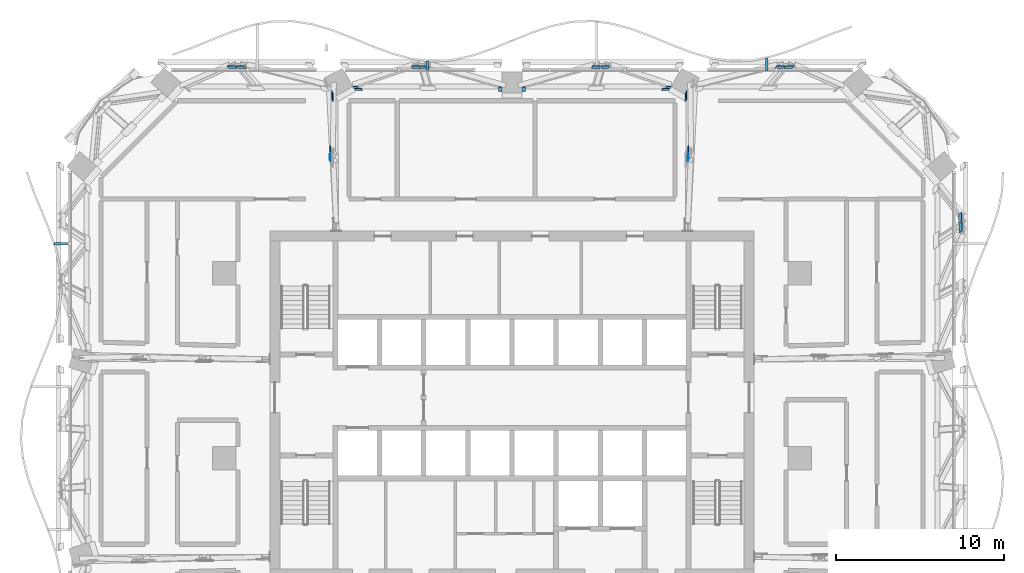
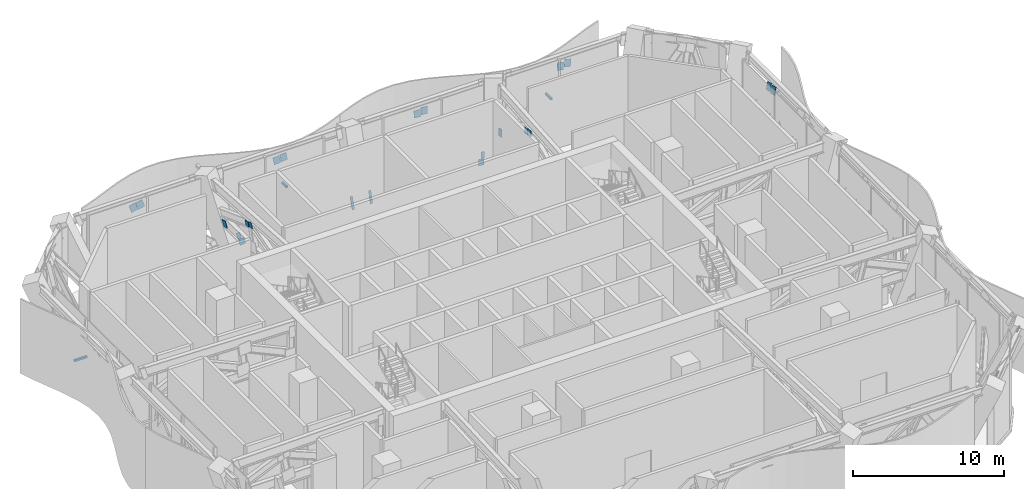
# One storey, part 19 of 26: 25 discrete accessories.
"""IFC4 building model written with IfcOpenShell, lengths in metres."""

from ifc_helpers import new_model, si_unit, direction, frame, origin, origin_2d, place, context, subcontext, project, spatial, rectangle, extrude, material, layer, layer_set, type_object, element, save


model = new_model("IFC4")

# Units and contexts
model_context = context("Model", 3, precision=1e-05, world=origin(), true_north=direction((0.0, 1.0)))
body_context = subcontext(model_context, "Body", "Model", "MODEL_VIEW")
ifc_project = project(units=[si_unit("LENGTHUNIT", "METRE"), si_unit("AREAUNIT", "SQUARE_METRE"), si_unit("VOLUMEUNIT", "CUBIC_METRE"), si_unit("PLANEANGLEUNIT", "RADIAN"), si_unit("MASSUNIT", "GRAM", prefix="KILO")], contexts=[model_context])

# Site, building, storey
site_placement = place(None, origin())
site = spatial("IfcSite", under=ifc_project, at=site_placement, CompositionType="ELEMENT")
building_placement = place(site_placement, origin())
building = spatial("IfcBuilding", under=site, at=building_placement, Name="Mopane Tessera Tower", CompositionType="ELEMENT")
storey_placement = place(building_placement, frame((0.0, 0.0, 205.0)))
storey = spatial("IfcBuildingStorey", under=building, at=storey_placement, Name="L43", CompositionType="ELEMENT", Elevation=205.0)

# Discrete accessories
ifc_material_1 = material(Name="Stainless steel S316", Category="steel")
discrete_accessory_type_1 = type_object("IfcDiscreteAccessoryType", Name="Louvre bracket 150 x 150", PredefinedType="BRACKET", material=ifc_material_1)
discrete_accessory_1_placement = place(storey_placement, frame((15.14990234375, 23.4326171875, 2.51513671875), z_axis=(0.0, 0.0, 1.0), x_axis=(0.0, 1.0, 0.0)))
element("IfcDiscreteAccessory", 1, at=discrete_accessory_1_placement, inside=storey, type_object=discrete_accessory_type_1, Name="e:lv:L43:N:0:br0", PredefinedType="BRACKET", context=body_context, shape_type="SweptSolid", body=[
    extrude(rectangle(XDim=0.7451171875, YDim=0.14990234375, at=origin_2d()), origin(), (0.0, 0.0, 1.0), 0.14990234375),
])
discrete_accessory_2_placement = place(storey_placement, frame((-5.050048828125, 23.339111328125, 2.51513671875), z_axis=(0.0, 0.0, 1.0), x_axis=(0.0, 1.0, 0.0)))
element("IfcDiscreteAccessory", 2, at=discrete_accessory_2_placement, inside=storey, type_object=discrete_accessory_type_1, Name="e:lv:L43:N:1:br0", PredefinedType="BRACKET", context=body_context, shape_type="SweptSolid", body=[
    extrude(rectangle(XDim=0.558349609375, YDim=0.14990234375, at=origin_2d()), origin(), (0.0, 0.0, 1.0), 0.14990234375),
])
discrete_accessory_3_placement = place(storey_placement, frame((-26.744384765625, 12.75, 2.51513671875), z_axis=(0.0, 0.0, 1.0), x_axis=(-1.0, 0.0, 0.0)))
element("IfcDiscreteAccessory", 3, at=discrete_accessory_3_placement, inside=storey, type_object=discrete_accessory_type_1, Name="e:lv:L43:W:0:br0", PredefinedType="BRACKET", context=body_context, shape_type="SweptSolid", body=[
    extrude(rectangle(XDim=0.96875, YDim=0.14990234375, at=origin_2d()), origin(), (0.0, 0.0, 1.0), 0.14990234375),
])
ifc_material_2 = material(Name="Structural steel S460", Category="steel")
ifc_layer = layer(ifc_material_2, 0.030029296875)
ifc_layer_set = layer_set([ifc_layer], Name="Structural steel S460")
discrete_accessory_type_2 = type_object("IfcDiscreteAccessoryType", Name="Truss node plate 30 mm", PredefinedType="BRACKET", material=ifc_layer_set)
discrete_accessory_4_placement = place(storey_placement, frame((10.457275390625, 17.8623046875, 4.439453125), z_axis=(0.073177819575, 0.128342637408, 0.98902637687), x_axis=(-0.997298623499, 0.015741955914, 0.071747100231)))
element("IfcDiscreteAccessory", 4, at=discrete_accessory_4_placement, inside=storey, type_object=discrete_accessory_type_2, Name="Truss node plate s ot L43 N1 2", PredefinedType="BRACKET", context=body_context, shape_type="SweptSolid", body=[
    extrude(rectangle(XDim=0.030029296875, YDim=0.428955078125, at=origin_2d()), origin(), (0.0, 0.0, 1.0), 0.43359375),
])
discrete_accessory_5_placement = place(storey_placement, frame((10.464599609375, 18.308349609375, 4.303955078125), z_axis=(0.08085558162, 0.142058764929, 0.986550395179), x_axis=(-0.996710232031, 0.017060689535, 0.079231598725)))
element("IfcDiscreteAccessory", 5, at=discrete_accessory_5_placement, inside=storey, type_object=discrete_accessory_type_2, Name="Truss node plate s ot L43 N1 4", PredefinedType="BRACKET", context=body_context, shape_type="SweptSolid", body=[
    extrude(rectangle(XDim=0.030029296875, YDim=0.428955078125, at=origin_2d()), origin(), (0.0, 0.0, 1.0), 0.434814453125),
])
discrete_accessory_6_placement = place(storey_placement, frame((10.303466796875, 21.45947265625, 2.236328125), z_axis=(0.138988729548, 0.243338523382, 0.95993150594), x_axis=(-0.990269546604, 0.040958817016, 0.132998497653)))
element("IfcDiscreteAccessory", 6, at=discrete_accessory_6_placement, inside=storey, type_object=discrete_accessory_type_2, Name="Truss node plate s ot L43 N1 5", PredefinedType="BRACKET", context=body_context, shape_type="SweptSolid", body=[
    extrude(rectangle(XDim=0.030029296875, YDim=0.489990234375, at=origin_2d()), origin(), (0.0, 0.0, 1.0), 0.56396484375),
])
discrete_accessory_7_placement = place(storey_placement, frame((-10.790283203125, 17.85986328125, 4.439453125), z_axis=(-0.073177819575, 0.128342637408, 0.98902637687), x_axis=(-0.997298623499, -0.015741955914, -0.071747100231)))
element("IfcDiscreteAccessory", 7, at=discrete_accessory_7_placement, inside=storey, type_object=discrete_accessory_type_2, Name="Truss node plate s ot L43 N3 2", PredefinedType="BRACKET", context=body_context, shape_type="SweptSolid", body=[
    extrude(rectangle(XDim=0.030029296875, YDim=0.428955078125, at=origin_2d()), origin(), (0.0, 0.0, 1.0), 0.43359375),
])
discrete_accessory_8_placement = place(storey_placement, frame((-10.797607421875, 18.305908203125, 4.303955078125), z_axis=(-0.08085558162, 0.142058764929, 0.986550395179), x_axis=(-0.996710232031, -0.017060689535, -0.079231598725)))
element("IfcDiscreteAccessory", 8, at=discrete_accessory_8_placement, inside=storey, type_object=discrete_accessory_type_2, Name="Truss node plate s ot L43 N3 4", PredefinedType="BRACKET", context=body_context, shape_type="SweptSolid", body=[
    extrude(rectangle(XDim=0.030029296875, YDim=0.428955078125, at=origin_2d()), origin(), (0.0, 0.0, 1.0), 0.434814453125),
])
discrete_accessory_9_placement = place(storey_placement, frame((-10.636474609375, 21.45703125, 2.236328125), z_axis=(-0.138988729548, 0.243338523382, 0.95993150594), x_axis=(-0.990269546604, -0.040958817016, -0.132998497653)))
element("IfcDiscreteAccessory", 9, at=discrete_accessory_9_placement, inside=storey, type_object=discrete_accessory_type_2, Name="Truss node plate s ot L43 N3 5", PredefinedType="BRACKET", context=body_context, shape_type="SweptSolid", body=[
    extrude(rectangle(XDim=0.030029296875, YDim=0.489990234375, at=origin_2d()), origin(), (0.0, 0.0, 1.0), 0.56396484375),
])
discrete_accessory_10_placement = place(storey_placement, frame((26.588623046875, 13.654541015625, 4.668212890625), z_axis=(0.309485084596, 0.201583528075, 0.929291699964), x_axis=(-0.950904202774, 0.065172675065, 0.302545400842)))
element("IfcDiscreteAccessory", 10, at=discrete_accessory_10_placement, inside=storey, type_object=discrete_accessory_type_2, Name="Truss node plate s bt L43 E2-E3 4", PredefinedType="BRACKET", context=body_context, shape_type="SweptSolid", body=[
    extrude(rectangle(XDim=0.030029296875, YDim=0.542724609375, at=origin_2d()), origin(), (0.0, 0.0, 1.0), 0.583740234375),
])
discrete_accessory_11_placement = place(storey_placement, frame((26.572265625, 14.2373046875, 4.61962890625), z_axis=(0.309304290958, 0.209959592917, 0.927495458176), x_axis=(-0.950963116085, 0.068378610629, 0.301651317674)))
element("IfcDiscreteAccessory", 11, at=discrete_accessory_11_placement, inside=storey, type_object=discrete_accessory_type_2, Name="Truss node plate s bt L43 E2-E3 6", PredefinedType="BRACKET", context=body_context, shape_type="SweptSolid", body=[
    extrude(rectangle(XDim=0.030029296875, YDim=0.542724609375, at=origin_2d()), origin(), (0.0, 0.0, 1.0), 0.5849609375),
])
discrete_accessory_12_placement = place(storey_placement, frame((16.4228515625, 23.194580078125, 4.669677734375), z_axis=(0.235003905386, 0.271965684679, 0.9331708476), x_axis=(0.065630280446, -0.962306633962, 0.263929173306)))
element("IfcDiscreteAccessory", 12, at=discrete_accessory_12_placement, inside=storey, type_object=discrete_accessory_type_2, Name="Truss node plate s bt L43 N0-N1 2", PredefinedType="BRACKET", context=body_context, shape_type="SweptSolid", body=[
    extrude(rectangle(XDim=0.030029296875, YDim=0.499267578125, at=origin_2d()), origin(), (0.0, 0.0, 1.0), 0.534912109375),
])
discrete_accessory_13_placement = place(storey_placement, frame((15.862548828125, 23.1767578125, 4.609130859375), z_axis=(0.227318680569, 0.272599464023, 0.934888094736), x_axis=(0.0645016117, -0.962127602391, 0.264858488263)))
element("IfcDiscreteAccessory", 13, at=discrete_accessory_13_placement, inside=storey, type_object=discrete_accessory_type_2, Name="Truss node plate s bt L43 N0-N1 4", PredefinedType="BRACKET", context=body_context, shape_type="SweptSolid", body=[
    extrude(rectangle(XDim=0.030029296875, YDim=0.499267578125, at=origin_2d()), origin(), (0.0, 0.0, 1.0), 0.53369140625),
])
discrete_accessory_14_placement = place(storey_placement, frame((9.272705078125, 21.988037109375, 0.532958984375), z_axis=(0.144358446564, 0.276732418319, 0.950042003049), x_axis=(0.040312192302, -0.960946236214, 0.273783232246)))
element("IfcDiscreteAccessory", 14, at=discrete_accessory_14_placement, inside=storey, type_object=discrete_accessory_type_2, Name="Truss node plate s bt L43 N1-N2 0", PredefinedType="BRACKET", context=body_context, shape_type="SweptSolid", body=[
    extrude(rectangle(XDim=0.030029296875, YDim=0.260498046875, at=origin_2d()), origin(), (0.0, 0.0, 1.0), 0.4482421875),
])
discrete_accessory_15_placement = place(storey_placement, frame((9.09228515625, 21.86083984375, 0.09716796875), z_axis=(0.142202388012, 0.277321898461, 0.950195267025), x_axis=(0.041689703913, -0.960776859261, 0.274171105873)))
element("IfcDiscreteAccessory", 15, at=discrete_accessory_15_placement, inside=storey, type_object=discrete_accessory_type_2, Name="Truss node plate s bt L43 N1-N2 2", PredefinedType="BRACKET", context=body_context, shape_type="SweptSolid", body=[
    extrude(rectangle(XDim=0.030029296875, YDim=0.42578125, at=origin_2d()), origin(), (0.0, 0.0, 1.0), 0.447998046875),
])
discrete_accessory_16_placement = place(storey_placement, frame((5.5234375, 23.19482421875, 4.670654296875), z_axis=(0.081038804317, 0.279133659314, 0.956826584305), x_axis=(0.023372971724, -0.960252242272, 0.2781534386)))
element("IfcDiscreteAccessory", 16, at=discrete_accessory_16_placement, inside=storey, type_object=discrete_accessory_type_2, Name="Truss node plate s bt L43 N1-N2 3", PredefinedType="BRACKET", context=body_context, shape_type="SweptSolid", body=[
    extrude(rectangle(XDim=0.030029296875, YDim=0.492919921875, at=origin_2d()), origin(), (0.0, 0.0, 1.0), 0.51513671875),
])
discrete_accessory_17_placement = place(storey_placement, frame((4.979736328125, 23.176513671875, 4.607666015625), z_axis=(0.073037304086, 0.27886970651, 0.957547512661), x_axis=(0.021169584243, -0.960328946418, 0.278065034433)))
element("IfcDiscreteAccessory", 17, at=discrete_accessory_17_placement, inside=storey, type_object=discrete_accessory_type_2, Name="Truss node plate s bt L43 N1-N2 5", PredefinedType="BRACKET", context=body_context, shape_type="SweptSolid", body=[
    extrude(rectangle(XDim=0.030029296875, YDim=0.492919921875, at=origin_2d()), origin(), (0.0, 0.0, 1.0), 0.514892578125),
])
for number, where, z_axis, x_axis, name in (
    (18, (0.694580078125, 21.826416015625, -0.0205078125), (0.010937301217, 0.28020324071, 0.959878387785), (0.003471810624, -0.95994066068, 0.280181859698), "Truss node plate s bt L43 N1-N2 6"),
    (19, (-0.694580078125, 21.826416015625, -0.0205078125), (-0.010937301217, 0.28020324071, 0.959878387785), (-0.003471810624, -0.95994066068, 0.280181859698), "Truss node plate s bt L43 N2-N3 0"),
):
    element("IfcDiscreteAccessory", number, at=place(storey_placement, frame(where, z_axis=z_axis, x_axis=x_axis)), inside=storey, type_object=discrete_accessory_type_2, Name=name, PredefinedType="BRACKET", context=body_context, shape_type="SweptSolid", body=[
        extrude(rectangle(XDim=0.030029296875, YDim=0.1875, at=origin_2d()), origin(), (0.0, 0.0, 1.0), 0.9375),
    ])
discrete_accessory_18_placement = place(storey_placement, frame((-5.164306640625, 23.19482421875, 4.670654296875), z_axis=(-0.0753854014, 0.279257870594, 0.957252361171), x_axis=(-0.023197325212, -0.96021536019, 0.27829542964)))
element("IfcDiscreteAccessory", 20, at=discrete_accessory_18_placement, inside=storey, type_object=discrete_accessory_type_2, Name="Truss node plate s bt L43 N2-N3 2", PredefinedType="BRACKET", context=body_context, shape_type="SweptSolid", body=[
    extrude(rectangle(XDim=0.030029296875, YDim=0.492919921875, at=origin_2d()), origin(), (0.0, 0.0, 1.0), 0.514892578125),
])
discrete_accessory_19_placement = place(storey_placement, frame((-5.697509765625, 23.176513671875, 4.607666015625), z_axis=(-0.083873691166, 0.278631245228, 0.956728714481), x_axis=(-0.02298563405, -0.960397282747, 0.277684569108)))
element("IfcDiscreteAccessory", 21, at=discrete_accessory_19_placement, inside=storey, type_object=discrete_accessory_type_2, Name="Truss node plate s bt L43 N2-N3 4", PredefinedType="BRACKET", context=body_context, shape_type="SweptSolid", body=[
    extrude(rectangle(XDim=0.030029296875, YDim=0.492919921875, at=origin_2d()), origin(), (0.0, 0.0, 1.0), 0.51513671875),
])
discrete_accessory_20_placement = place(storey_placement, frame((-9.09228515625, 21.86083984375, 0.09716796875), z_axis=(-0.142202388012, 0.277321898461, 0.950195267025), x_axis=(-0.041689703913, -0.960776859261, 0.274171105873)))
element("IfcDiscreteAccessory", 22, at=discrete_accessory_20_placement, inside=storey, type_object=discrete_accessory_type_2, Name="Truss node plate s bt L43 N2-N3 5", PredefinedType="BRACKET", context=body_context, shape_type="SweptSolid", body=[
    extrude(rectangle(XDim=0.030029296875, YDim=0.42578125, at=origin_2d()), origin(), (0.0, 0.0, 1.0), 0.447998046875),
])
discrete_accessory_21_placement = place(storey_placement, frame((-9.272705078125, 21.988037109375, 0.532958984375), z_axis=(-0.144358446564, 0.276732418319, 0.950042003049), x_axis=(-0.040312192302, -0.960946236214, 0.273783232246)))
element("IfcDiscreteAccessory", 23, at=discrete_accessory_21_placement, inside=storey, type_object=discrete_accessory_type_2, Name="Truss node plate s bt L43 N2-N3 7", PredefinedType="BRACKET", context=body_context, shape_type="SweptSolid", body=[
    extrude(rectangle(XDim=0.030029296875, YDim=0.260498046875, at=origin_2d()), origin(), (0.0, 0.0, 1.0), 0.4482421875),
])
discrete_accessory_22_placement = place(storey_placement, frame((-16.05908203125, 23.194580078125, 4.669677734375), z_axis=(-0.229820568853, 0.272312244605, 0.934359966806), x_axis=(-0.064856203352, -0.962208921148, 0.264476208664)))
element("IfcDiscreteAccessory", 24, at=discrete_accessory_22_placement, inside=storey, type_object=discrete_accessory_type_2, Name="Truss node plate s bt L43 N3-N4 2", PredefinedType="BRACKET", context=body_context, shape_type="SweptSolid", body=[
    extrude(rectangle(XDim=0.030029296875, YDim=0.499267578125, at=origin_2d()), origin(), (0.0, 0.0, 1.0), 0.534423828125),
])
discrete_accessory_23_placement = place(storey_placement, frame((-16.58935546875, 23.1767578125, 4.609130859375), z_axis=(-0.237258672111, 0.271934939574, 0.932609088068), x_axis=(-0.06691810985, -0.962315630467, 0.263572748844)))
element("IfcDiscreteAccessory", 25, at=discrete_accessory_23_placement, inside=storey, type_object=discrete_accessory_type_2, Name="Truss node plate s bt L43 N3-N4 4", PredefinedType="BRACKET", context=body_context, shape_type="SweptSolid", body=[
    extrude(rectangle(XDim=0.030029296875, YDim=0.499267578125, at=origin_2d()), origin(), (0.0, 0.0, 1.0), 0.53515625),
])

save(model, "model.ifc")
